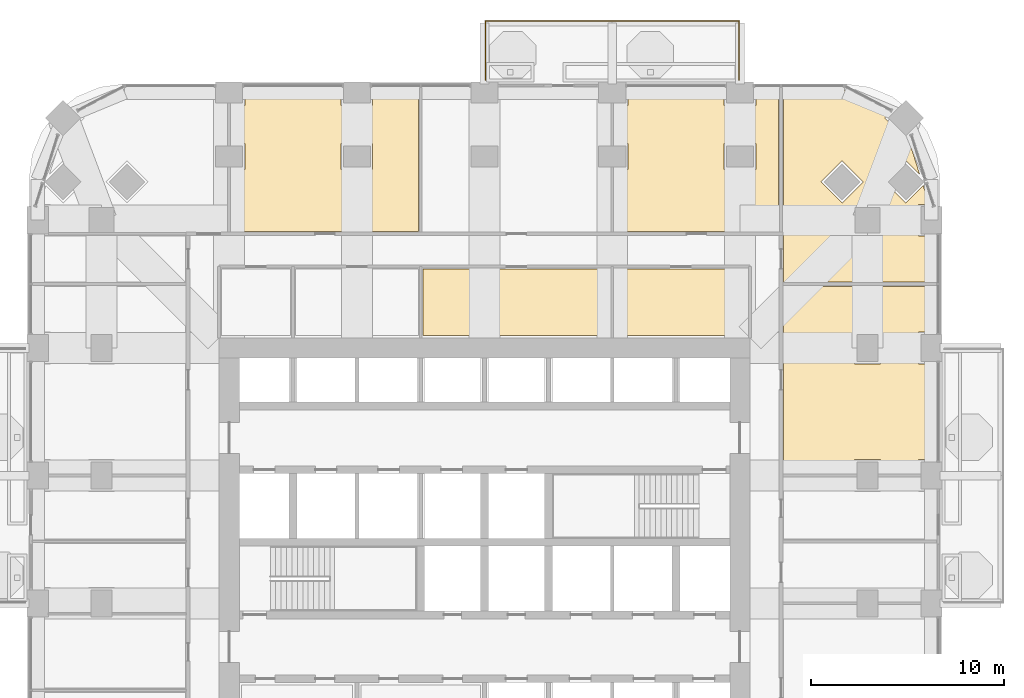
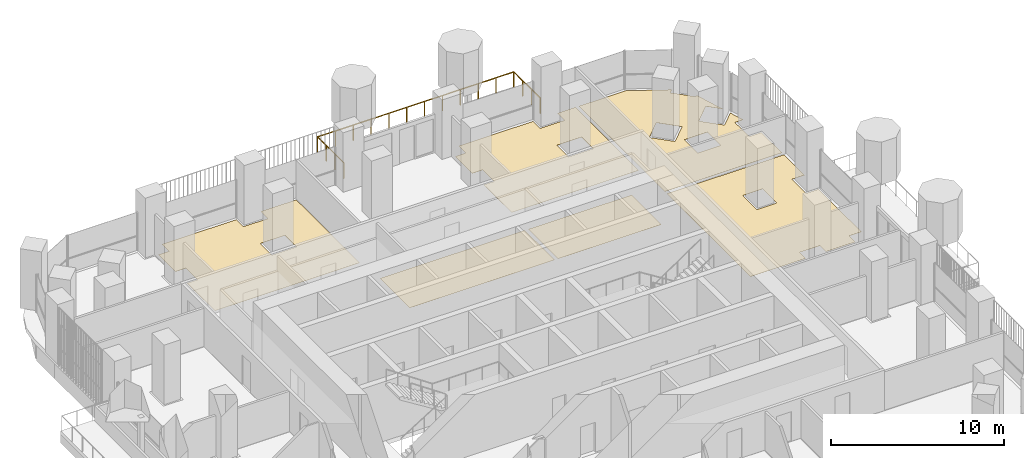
# One storey, part 22 of 23: 6 coverings, 1 railing.
"""IFC4 building model written with IfcOpenShell, lengths in metres."""

from ifc_helpers import new_model, si_unit, direction, frame, origin, place, context, subcontext, project, spatial, polyline, outline, extrude, material, layer, layer_set, type_object, element, save


model = new_model("IFC4")

# Units and contexts
model_context = context("Model", 3, precision=1e-05, world=origin(), true_north=direction((0.0, 1.0)))
body_context = subcontext(model_context, "Body", "Model", "MODEL_VIEW")
ifc_project = project(units=[si_unit("LENGTHUNIT", "METRE"), si_unit("AREAUNIT", "SQUARE_METRE"), si_unit("VOLUMEUNIT", "CUBIC_METRE"), si_unit("PLANEANGLEUNIT", "RADIAN"), si_unit("MASSUNIT", "GRAM", prefix="KILO")], contexts=[model_context])

# Site, building, storey
site_placement = place(None, origin())
site = spatial("IfcSite", under=ifc_project, at=site_placement, CompositionType="ELEMENT")
building_placement = place(site_placement, origin())
building = spatial("IfcBuilding", under=site, at=building_placement, Name="Cobogo Forest Laboratory Tower", CompositionType="ELEMENT")
storey_placement = place(building_placement, frame((0.0, 0.0, 128.39990234375)))
storey = spatial("IfcBuildingStorey", under=building, at=storey_placement, Name="L29", CompositionType="ELEMENT", Elevation=128.39990234375)

# Railing
ifc_material_1 = material(Name="Laminated glass balustrade", Category="glass")
railing_type = type_object("IfcRailingType", Name="BG1 glass balustrade 1100", PredefinedType="GUARDRAIL", material=ifc_material_1)
railing_placement = place(storey_placement, frame((26.449951171875, 46.85009765625, 0.0)))
element("IfcRailing", 1, at=railing_placement, inside=storey, type_object=railing_type, Name="Balcony balustrade BAL-N1 L29", PredefinedType="GUARDRAIL", context=body_context, shape_type="SweptSolid", body=[
    extrude(outline(polyline([(0.022216796875, 0.00927734375), (0.00927734375, 0.022216796875), (-0.00927734375, 0.022216796875), (-0.022216796875, 0.00927734375), (-0.022216796875, -0.00927734375), (-0.00927734375, -0.022216796875), (0.00927734375, -0.022216796875), (0.022216796875, -0.00927734375), (0.022216796875, 0.00927734375)])), frame((0.0, 0.0, 1.077880859375), z_axis=(0.0, 1.0, 0.0), x_axis=(-1.0, 0.0, 0.0)), (0.0, 0.0, 1.0), 3.0498046875),
    extrude(outline(polyline([(0.022216796875, 0.00927734375), (0.00927734375, 0.022216796875), (-0.00927734375, 0.022216796875), (-0.022216796875, 0.00927734375), (-0.022216796875, -0.00927734375), (-0.00927734375, -0.022216796875), (0.00927734375, -0.022216796875), (0.022216796875, -0.00927734375), (0.022216796875, 0.00927734375)])), frame((0.0, 3.0498046875, 1.077880859375), z_axis=(1.0, 0.0, 0.0), x_axis=(0.0, 1.0, 0.0)), (0.0, 0.0, 1.0), 13.10009765625),
    extrude(outline(polyline([(0.022216796875, 0.00927734375), (0.00927734375, 0.022216796875), (-0.00927734375, 0.022216796875), (-0.022216796875, 0.00927734375), (-0.022216796875, -0.00927734375), (-0.00927734375, -0.022216796875), (0.00927734375, -0.022216796875), (0.022216796875, -0.00927734375), (0.022216796875, 0.00927734375)])), frame((13.10009765625, 3.0498046875, 1.077880859375), z_axis=(0.0, -1.0, 0.0), x_axis=(1.0, 0.0, 0.0)), (0.0, 0.0, 1.0), 3.0498046875),
    extrude(outline(polyline([(0.019287109375, 0.008056640625), (0.008056640625, 0.019287109375), (-0.008056640625, 0.019287109375), (-0.019287109375, 0.008056640625), (-0.019287109375, -0.008056640625), (-0.008056640625, -0.019287109375), (0.008056640625, -0.019287109375), (0.019287109375, -0.008056640625), (0.019287109375, 0.008056640625)])), origin(), (0.0, 0.0, 1.0), 1.077880859375),
    extrude(outline(polyline([(0.019287109375, 0.008056640625), (0.008056640625, 0.019287109375), (-0.008056640625, 0.019287109375), (-0.019287109375, 0.008056640625), (-0.019287109375, -0.008056640625), (-0.008056640625, -0.019287109375), (0.008056640625, -0.019287109375), (0.019287109375, -0.008056640625), (0.019287109375, 0.008056640625)])), frame((0.0, 1.0166015625, 0.0)), (0.0, 0.0, 1.0), 1.077880859375),
    extrude(outline(polyline([(0.019287109375, 0.008056640625), (0.008056640625, 0.019287109375), (-0.008056640625, 0.019287109375), (-0.019287109375, 0.008056640625), (-0.019287109375, -0.008056640625), (-0.008056640625, -0.019287109375), (0.008056640625, -0.019287109375), (0.019287109375, -0.008056640625), (0.019287109375, 0.008056640625)])), frame((0.0, 2.033203125, 0.0)), (0.0, 0.0, 1.0), 1.077880859375),
    extrude(outline(polyline([(0.019287109375, 0.008056640625), (0.008056640625, 0.019287109375), (-0.008056640625, 0.019287109375), (-0.019287109375, 0.008056640625), (-0.019287109375, -0.008056640625), (-0.008056640625, -0.019287109375), (0.008056640625, -0.019287109375), (0.019287109375, -0.008056640625), (0.019287109375, 0.008056640625)])), frame((0.0, 3.0498046875, 0.0)), (0.0, 0.0, 1.0), 1.077880859375),
    extrude(outline(polyline([(0.019287109375, 0.008056640625), (0.008056640625, 0.019287109375), (-0.008056640625, 0.019287109375), (-0.019287109375, 0.008056640625), (-0.019287109375, -0.008056640625), (-0.008056640625, -0.019287109375), (0.008056640625, -0.019287109375), (0.019287109375, -0.008056640625), (0.019287109375, 0.008056640625)])), frame((1.19091796875, 3.0498046875, 0.0)), (0.0, 0.0, 1.0), 1.077880859375),
    extrude(outline(polyline([(0.019287109375, 0.008056640625), (0.008056640625, 0.019287109375), (-0.008056640625, 0.019287109375), (-0.019287109375, 0.008056640625), (-0.019287109375, -0.008056640625), (-0.008056640625, -0.019287109375), (0.008056640625, -0.019287109375), (0.019287109375, -0.008056640625), (0.019287109375, 0.008056640625)])), frame((2.3818359375, 3.0498046875, 0.0)), (0.0, 0.0, 1.0), 1.077880859375),
    extrude(outline(polyline([(0.019287109375, 0.008056640625), (0.008056640625, 0.019287109375), (-0.008056640625, 0.019287109375), (-0.019287109375, 0.008056640625), (-0.019287109375, -0.008056640625), (-0.008056640625, -0.019287109375), (0.008056640625, -0.019287109375), (0.019287109375, -0.008056640625), (0.019287109375, 0.008056640625)])), frame((3.57275390625, 3.0498046875, 0.0)), (0.0, 0.0, 1.0), 1.077880859375),
    extrude(outline(polyline([(0.019287109375, 0.008056640625), (0.008056640625, 0.019287109375), (-0.008056640625, 0.019287109375), (-0.019287109375, 0.008056640625), (-0.019287109375, -0.008056640625), (-0.008056640625, -0.019287109375), (0.008056640625, -0.019287109375), (0.019287109375, -0.008056640625), (0.019287109375, 0.008056640625)])), frame((4.763671875, 3.0498046875, 0.0)), (0.0, 0.0, 1.0), 1.077880859375),
    extrude(outline(polyline([(0.019287109375, 0.008056640625), (0.008056640625, 0.019287109375), (-0.008056640625, 0.019287109375), (-0.019287109375, 0.008056640625), (-0.019287109375, -0.008056640625), (-0.008056640625, -0.019287109375), (0.008056640625, -0.019287109375), (0.019287109375, -0.008056640625), (0.019287109375, 0.008056640625)])), frame((5.95458984375, 3.0498046875, 0.0)), (0.0, 0.0, 1.0), 1.077880859375),
    extrude(outline(polyline([(0.019287109375, 0.008056640625), (0.008056640625, 0.019287109375), (-0.008056640625, 0.019287109375), (-0.019287109375, 0.008056640625), (-0.019287109375, -0.008056640625), (-0.008056640625, -0.019287109375), (0.008056640625, -0.019287109375), (0.019287109375, -0.008056640625), (0.019287109375, 0.008056640625)])), frame((7.1455078125, 3.0498046875, 0.0)), (0.0, 0.0, 1.0), 1.077880859375),
    extrude(outline(polyline([(0.019287109375, 0.008056640625), (0.008056640625, 0.019287109375), (-0.008056640625, 0.019287109375), (-0.019287109375, 0.008056640625), (-0.019287109375, -0.008056640625), (-0.008056640625, -0.019287109375), (0.008056640625, -0.019287109375), (0.019287109375, -0.008056640625), (0.019287109375, 0.008056640625)])), frame((8.33642578125, 3.0498046875, 0.0)), (0.0, 0.0, 1.0), 1.077880859375),
    extrude(outline(polyline([(0.019287109375, 0.008056640625), (0.008056640625, 0.019287109375), (-0.008056640625, 0.019287109375), (-0.019287109375, 0.008056640625), (-0.019287109375, -0.008056640625), (-0.008056640625, -0.019287109375), (0.008056640625, -0.019287109375), (0.019287109375, -0.008056640625), (0.019287109375, 0.008056640625)])), frame((9.52734375, 3.0498046875, 0.0)), (0.0, 0.0, 1.0), 1.077880859375),
    extrude(outline(polyline([(0.019287109375, 0.008056640625), (0.008056640625, 0.019287109375), (-0.008056640625, 0.019287109375), (-0.019287109375, 0.008056640625), (-0.019287109375, -0.008056640625), (-0.008056640625, -0.019287109375), (0.008056640625, -0.019287109375), (0.019287109375, -0.008056640625), (0.019287109375, 0.008056640625)])), frame((10.71826171875, 3.0498046875, 0.0)), (0.0, 0.0, 1.0), 1.077880859375),
    extrude(outline(polyline([(0.019287109375, 0.008056640625), (0.008056640625, 0.019287109375), (-0.008056640625, 0.019287109375), (-0.019287109375, 0.008056640625), (-0.019287109375, -0.008056640625), (-0.008056640625, -0.019287109375), (0.008056640625, -0.019287109375), (0.019287109375, -0.008056640625), (0.019287109375, 0.008056640625)])), frame((11.9091796875, 3.0498046875, 0.0)), (0.0, 0.0, 1.0), 1.077880859375),
    extrude(outline(polyline([(0.019287109375, 0.008056640625), (0.008056640625, 0.019287109375), (-0.008056640625, 0.019287109375), (-0.019287109375, 0.008056640625), (-0.019287109375, -0.008056640625), (-0.008056640625, -0.019287109375), (0.008056640625, -0.019287109375), (0.019287109375, -0.008056640625), (0.019287109375, 0.008056640625)])), frame((13.10009765625, 3.0498046875, 0.0)), (0.0, 0.0, 1.0), 1.077880859375),
    extrude(outline(polyline([(0.019287109375, 0.008056640625), (0.008056640625, 0.019287109375), (-0.008056640625, 0.019287109375), (-0.019287109375, 0.008056640625), (-0.019287109375, -0.008056640625), (-0.008056640625, -0.019287109375), (0.008056640625, -0.019287109375), (0.019287109375, -0.008056640625), (0.019287109375, 0.008056640625)])), frame((13.10009765625, 2.033203125, 0.0)), (0.0, 0.0, 1.0), 1.077880859375),
    extrude(outline(polyline([(0.019287109375, 0.008056640625), (0.008056640625, 0.019287109375), (-0.008056640625, 0.019287109375), (-0.019287109375, 0.008056640625), (-0.019287109375, -0.008056640625), (-0.008056640625, -0.019287109375), (0.008056640625, -0.019287109375), (0.019287109375, -0.008056640625), (0.019287109375, 0.008056640625)])), frame((13.10009765625, 1.0166015625, 0.0)), (0.0, 0.0, 1.0), 1.077880859375),
    extrude(outline(polyline([(0.019287109375, 0.008056640625), (0.008056640625, 0.019287109375), (-0.008056640625, 0.019287109375), (-0.019287109375, 0.008056640625), (-0.019287109375, -0.008056640625), (-0.008056640625, -0.019287109375), (0.008056640625, -0.019287109375), (0.019287109375, -0.008056640625), (0.019287109375, 0.008056640625)])), frame((13.10009765625, 0.0, 0.0)), (0.0, 0.0, 1.0), 1.077880859375),
])

# Coverings
ifc_material_2 = material(Name="Carpet tile on raised access floor", Category="flooring")
ifc_layer_1 = layer(ifc_material_2, 0.008056640625)
ifc_layer_set_1 = layer_set([ifc_layer_1], Name="CT1 carpet tile floor 8")
covering_type_1 = type_object("IfcCoveringType", Name="CT1 carpet tile floor 8", PredefinedType="FLOORING", material=ifc_layer_set_1)
covering_1_placement = place(storey_placement, origin())
element("IfcCovering", 2, at=covering_1_placement, inside=storey, type_object=covering_type_1, Name="Carpet floor L29-17", PredefinedType="FLOORING", context=body_context, shape_type="SweptSolid", body=[
    extrude(outline(polyline([(41.844970703125, 36.179931640625), (49.64990234375, 36.179931640625), (49.64990234375, 33.820068359375), (48.830078125, 33.820068359375), (48.830078125, 32.179931640625), (49.64990234375, 32.179931640625), (49.64990234375, 27.219970703125), (48.830078125, 27.219970703125), (48.830078125, 26.52001953125), (46.8701171875, 26.52001953125), (46.8701171875, 27.219970703125), (45.530029296875, 27.219970703125), (45.530029296875, 26.52001953125), (41.844970703125, 26.52001953125), (41.844970703125, 36.179931640625)]), holes=[polyline([(46.8701171875, 32.179931640625), (46.8701171875, 33.820068359375), (45.530029296875, 33.820068359375), (45.530029296875, 32.179931640625), (46.8701171875, 32.179931640625)])]), origin(), (0.0, 0.0, 1.0), 0.008056640625),
])
covering_2_placement = place(storey_placement, origin())
element("IfcCovering", 3, at=covering_2_placement, inside=storey, type_object=covering_type_1, Name="Carpet floor L29-18", PredefinedType="FLOORING", context=body_context, shape_type="SweptSolid", body=[
    extrude(outline(polyline([(41.844970703125, 46.35009765625), (44.95068359375, 46.35009765625), (47.3193359375, 45.1083984375), (47.093017578125, 44.882080078125), (48.181884765625, 43.79296875), (48.283935546875, 43.89501953125), (48.89599609375, 41.95703125), (48.181884765625, 42.6708984375), (47.093017578125, 41.58203125), (48.181884765625, 40.492919921875), (49.075927734375, 41.386962890625), (49.38134765625, 40.419921875), (48.830078125, 40.419921875), (48.830078125, 38.780029296875), (49.64990234375, 38.780029296875), (49.64990234375, 36.419921875), (41.844970703125, 36.419921875), (41.844970703125, 46.35009765625)]), holes=[polyline([(45.429931640625, 40.3701171875), (45.429931640625, 38.830078125), (46.969970703125, 38.830078125), (46.969970703125, 40.3701171875), (45.429931640625, 40.3701171875)]), polyline([(43.79296875, 41.58203125), (44.882080078125, 40.492919921875), (45.970947265625, 41.58203125), (44.882080078125, 42.6708984375), (43.79296875, 41.58203125)])]), origin(), (0.0, 0.0, 1.0), 0.008056640625),
])
covering_3_placement = place(storey_placement, origin())
element("IfcCovering", 4, at=covering_3_placement, inside=storey, type_object=covering_type_1, Name="Carpet floor L29-20", PredefinedType="FLOORING", context=body_context, shape_type="SweptSolid", body=[
    extrude(outline(polyline([(13.320068359375, 39.02001953125), (13.320068359375, 42.22998046875), (14.02001953125, 42.22998046875), (14.02001953125, 43.570068359375), (13.320068359375, 43.570068359375), (13.320068359375, 45.530029296875), (14.02001953125, 45.530029296875), (14.02001953125, 46.35009765625), (18.97998046875, 46.35009765625), (18.97998046875, 45.530029296875), (20.6201171875, 45.530029296875), (20.6201171875, 46.35009765625), (22.97998046875, 46.35009765625), (22.97998046875, 39.02001953125), (13.320068359375, 39.02001953125)]), holes=[polyline([(18.97998046875, 42.22998046875), (20.6201171875, 42.22998046875), (20.6201171875, 43.570068359375), (18.97998046875, 43.570068359375), (18.97998046875, 42.22998046875)])]), origin(), (0.0, 0.0, 1.0), 0.008056640625),
])
covering_4_placement = place(storey_placement, origin())
element("IfcCovering", 5, at=covering_4_placement, inside=storey, type_object=covering_type_1, Name="Carpet floor L29-22", PredefinedType="FLOORING", context=body_context, shape_type="SweptSolid", body=[
    extrude(outline(polyline([(33.1201171875, 39.02001953125), (33.1201171875, 42.22998046875), (33.820068359375, 42.22998046875), (33.820068359375, 43.570068359375), (33.1201171875, 43.570068359375), (33.1201171875, 45.530029296875), (33.820068359375, 45.530029296875), (33.820068359375, 46.35009765625), (38.780029296875, 46.35009765625), (38.780029296875, 45.530029296875), (40.419921875, 45.530029296875), (40.419921875, 46.35009765625), (41.60498046875, 46.35009765625), (41.60498046875, 39.02001953125), (33.1201171875, 39.02001953125)]), holes=[polyline([(38.780029296875, 43.570068359375), (38.780029296875, 42.22998046875), (40.419921875, 42.22998046875), (40.419921875, 43.570068359375), (38.780029296875, 43.570068359375)])]), origin(), (0.0, 0.0, 1.0), 0.008056640625),
])
ifc_material_3 = material(Name="Epoxy resin flooring", Category="flooring")
ifc_layer_2 = layer(ifc_material_3, 0.00390625)
ifc_layer_set_2 = layer_set([ifc_layer_2], Name="LF1 epoxy laboratory floor 4")
covering_type_2 = type_object("IfcCoveringType", Name="LF1 epoxy laboratory floor 4", PredefinedType="FLOORING", material=ifc_layer_set_2)
covering_5_placement = place(storey_placement, origin())
element("IfcCovering", 6, at=covering_5_placement, inside=storey, type_object=covering_type_2, Name="Epoxy laboratory floor L29-03", PredefinedType="FLOORING", context=body_context, shape_type="SweptSolid", body=[
    extrude(outline(polyline([(32.8798828125, 33.64501953125), (23.219970703125, 33.64501953125), (23.219970703125, 37.080078125), (32.8798828125, 37.080078125), (32.8798828125, 33.64501953125)])), origin(), (0.0, 0.0, 1.0), 0.004150390625),
])
covering_6_placement = place(storey_placement, origin())
element("IfcCovering", 7, at=covering_6_placement, inside=storey, type_object=covering_type_2, Name="Epoxy laboratory floor L29-04", PredefinedType="FLOORING", context=body_context, shape_type="SweptSolid", body=[
    extrude(outline(polyline([(40.0048828125, 33.64501953125), (33.1201171875, 33.64501953125), (33.1201171875, 37.080078125), (40.0048828125, 37.080078125), (40.0048828125, 33.64501953125)])), origin(), (0.0, 0.0, 1.0), 0.004150390625),
])

save(model, "model.ifc")
